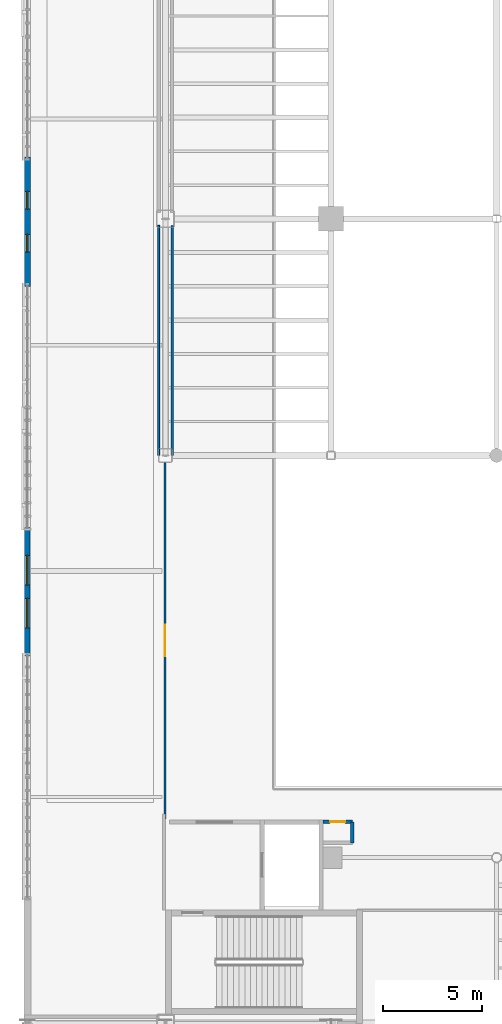
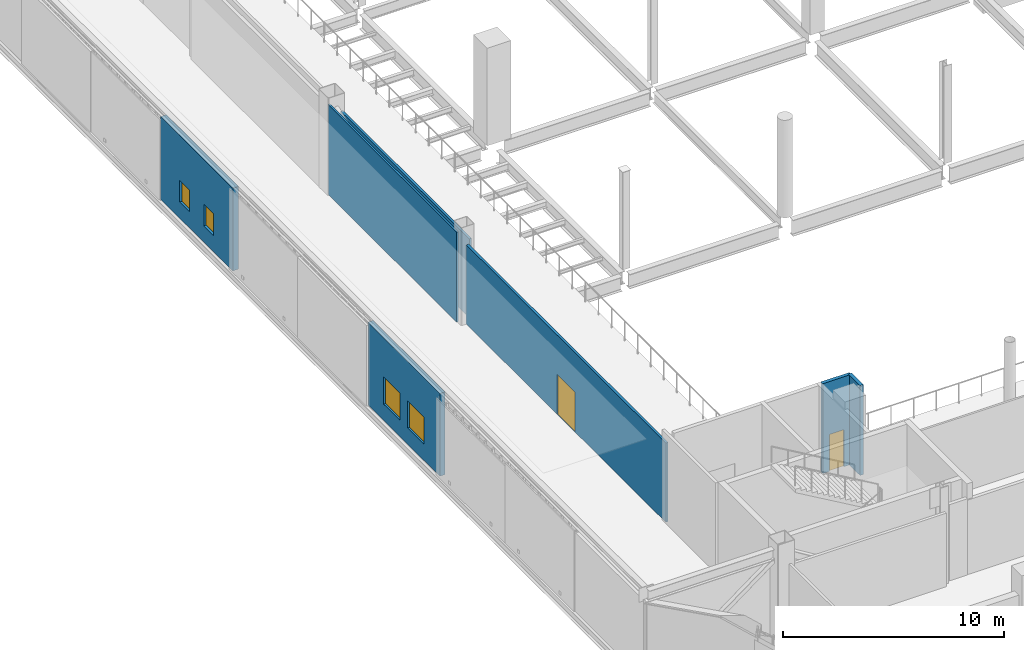
# One storey, part 105 of 127: 7 walls, 4 windows, 2 doors, 6 openings.
"""IFC4 building model written with IfcOpenShell, lengths in metres."""

from ifc_helpers import new_model, si_unit, direction, frame, frame_2d, origin, place, context, subcontext, project, spatial, rectangle, extrude, material, layer, layer_set, type_object, element, fill, save


model = new_model("IFC4")

# Units and contexts
model_context = context("Model", 3, precision=1e-05, world=origin(), true_north=direction((0.0, 1.0)))
body_context = subcontext(model_context, "Body", "Model", "MODEL_VIEW")
ifc_project = project(units=[si_unit("LENGTHUNIT", "METRE"), si_unit("AREAUNIT", "SQUARE_METRE"), si_unit("VOLUMEUNIT", "CUBIC_METRE"), si_unit("PLANEANGLEUNIT", "RADIAN"), si_unit("MASSUNIT", "GRAM", prefix="KILO")], contexts=[model_context])

# Site, building, storey
site_placement = place(None, origin())
site = spatial("IfcSite", under=ifc_project, at=site_placement, CompositionType="ELEMENT")
building_placement = place(site_placement, origin())
building = spatial("IfcBuilding", under=site, at=building_placement, Name="Larkvane Passage Sports Hall", CompositionType="ELEMENT")
storey_placement = place(building_placement, frame((0.0, 0.0, 5.39990234375)))
storey = spatial("IfcBuildingStorey", under=building, at=storey_placement, Name="L01", CompositionType="ELEMENT", Elevation=5.39990234375)

# Wall, openings, windows
ifc_material_1 = material(Name="Concrete C40/50", Category="concrete")
ifc_layer_1 = layer(ifc_material_1, 0.27490234375)
ifc_layer_set_1 = layer_set([ifc_layer_1], Name="Concrete C40/50")
wall_type_1 = type_object("IfcWallType", Name="WL-EXT-275", PredefinedType="SOLIDWALL", material=ifc_layer_set_1)
wall_1_placement = place(storey_placement, frame((27.800048828125, 41.431640625, 0.0), z_axis=(0.0, 0.0, 1.0), x_axis=(0.0, 1.0, 0.0)))
wall_1 = element("IfcWall", 1, at=wall_1_placement, inside=storey, type_object=wall_type_1, Name="Exterior wall WAL-EXT-L01-066", PredefinedType="SOLIDWALL", context=body_context, shape_type="SweptSolid", body=[
    extrude(rectangle(XDim=6.5185546875, YDim=0.27490234375, at=frame_2d((3.25927734375, 0.0))), origin(), (0.0, 0.0, 1.0), 4.578125),
])
opening_1_placement = place(wall_1_placement, frame((1.423095703125, 0.0, 0.89990234375)))
opening_1 = element("IfcOpeningElement", 2, at=opening_1_placement, cuts=wall_1, Name="Opening W-08", PredefinedType="OPENING", context=body_context, shape_type="SweptSolid", body=[
    extrude(rectangle(XDim=1.5, YDim=1.5, at=frame_2d((0.75, 0.75))), frame((0.0, 0.1474609375, 0.0), z_axis=(0.0, -1.0, 0.0), x_axis=(1.0, 0.0, 0.0)), (0.0, 0.0, 1.0), 0.294921875),
])
opening_2_placement = place(wall_1_placement, frame((3.595947265625, 0.0, 0.89990234375)))
opening_2 = element("IfcOpeningElement", 3, at=opening_2_placement, cuts=wall_1, Name="Opening W-08", PredefinedType="OPENING", context=body_context, shape_type="SweptSolid", body=[
    extrude(rectangle(XDim=1.5, YDim=1.5, at=frame_2d((0.75, 0.75))), frame((0.0, 0.1474609375, 0.0), z_axis=(0.0, -1.0, 0.0), x_axis=(1.0, 0.0, 0.0)), (0.0, 0.0, 1.0), 0.294921875),
])
ifc_material_2 = material(Name="Thermally broken aluminium and laminated low-E glass", Category="aluminium")
window_type_1 = type_object("IfcWindowType", Name="WN-CAS-1500x1500", PartitioningType="DOUBLE_PANEL_VERTICAL", PredefinedType="WINDOW", material=ifc_material_2)
window_1_placement = place(opening_1_placement, origin())
window_1 = element("IfcWindow", 4, at=window_1_placement, inside=storey, type_object=window_type_1, Name="Window L01-013", OverallHeight=1.5, OverallWidth=1.5, PartitioningType="DOUBLE_PANEL_VERTICAL", PredefinedType="WINDOW", context=body_context, shape_type="SweptSolid", body=[
    extrude(rectangle(XDim=1.5, YDim=1.5, at=frame_2d((0.75, 0.75))), frame((0.0, 0.030029296875, 0.0), z_axis=(0.0, -1.0, 0.0), x_axis=(1.0, 0.0, 0.0)), (0.0, 0.0, 1.0), 0.06005859375),
])
fill(opening_1, window_1)
window_2_placement = place(opening_2_placement, origin())
window_2 = element("IfcWindow", 5, at=window_2_placement, inside=storey, type_object=window_type_1, Name="Window L01-014", OverallHeight=1.5, OverallWidth=1.5, PartitioningType="DOUBLE_PANEL_VERTICAL", PredefinedType="WINDOW", context=body_context, shape_type="SweptSolid", body=[
    extrude(rectangle(XDim=1.5, YDim=1.5, at=frame_2d((0.75, 0.75))), frame((0.0, 0.030029296875, 0.0), z_axis=(0.0, -1.0, 0.0), x_axis=(1.0, 0.0, 0.0)), (0.0, 0.0, 1.0), 0.06005859375),
])
fill(opening_2, window_2)

ifc_material_3 = material(Name="Precast concrete C45/55", Category="concrete")
ifc_layer_2 = layer(ifc_material_3, 0.31005859375)
ifc_layer_set_2 = layer_set([ifc_layer_2], Name="Precast concrete C45/55")
wall_type_2 = type_object("IfcWallType", Name="WL-EXT-310", PredefinedType="SOLIDWALL", material=ifc_layer_set_2)
wall_2_placement = place(storey_placement, frame((27.800048828125, 60.178466796875, 0.0), z_axis=(0.0, 0.0, 1.0), x_axis=(0.0, 1.0, 0.0)))
wall_2 = element("IfcWall", 6, at=wall_2_placement, inside=storey, type_object=wall_type_2, Name="Exterior wall WAL-EXT-L01-067", PredefinedType="SOLIDWALL", context=body_context, shape_type="SweptSolid", body=[
    extrude(rectangle(XDim=6.55224609375, YDim=0.31005859375, at=frame_2d((3.276123046875, 0.0))), origin(), (0.0, 0.0, 1.0), 4.578125),
])
opening_3_placement = place(wall_2_placement, frame((1.73388671875, 0.0, 0.89990234375)))
opening_3 = element("IfcOpeningElement", 7, at=opening_3_placement, cuts=wall_2, Name="Opening W-09", PredefinedType="OPENING", context=body_context, shape_type="SweptSolid", body=[
    extrude(rectangle(XDim=0.89990234375, YDim=1.199951171875, at=frame_2d((0.449951171875, 0.60009765625))), frame((0.0, 0.1650390625, 0.0), z_axis=(0.0, -1.0, 0.0), x_axis=(1.0, 0.0, 0.0)), (0.0, 0.0, 1.0), 0.330078125),
])
opening_4_placement = place(wall_2_placement, frame((3.91796875, 0.0, 0.89990234375)))
opening_4 = element("IfcOpeningElement", 8, at=opening_4_placement, cuts=wall_2, Name="Opening W-09", PredefinedType="OPENING", context=body_context, shape_type="SweptSolid", body=[
    extrude(rectangle(XDim=0.89990234375, YDim=1.199951171875, at=frame_2d((0.449951171875, 0.60009765625))), frame((0.0, 0.1650390625, 0.0), z_axis=(0.0, -1.0, 0.0), x_axis=(1.0, 0.0, 0.0)), (0.0, 0.0, 1.0), 0.330078125),
])
window_type_2 = type_object("IfcWindowType", Name="WN-CAS-900x1200", PartitioningType="SINGLE_PANEL", PredefinedType="WINDOW", material=ifc_material_2)
window_3_placement = place(opening_3_placement, origin())
window_3 = element("IfcWindow", 9, at=window_3_placement, inside=storey, type_object=window_type_2, Name="Window L01-015", OverallHeight=1.199951171875, OverallWidth=0.89990234375, PartitioningType="SINGLE_PANEL", PredefinedType="WINDOW", context=body_context, shape_type="SweptSolid", body=[
    extrude(rectangle(XDim=0.89990234375, YDim=1.199951171875, at=frame_2d((0.449951171875, 0.60009765625))), frame((0.0, 0.030029296875, 0.0), z_axis=(0.0, -1.0, 0.0), x_axis=(1.0, 0.0, 0.0)), (0.0, 0.0, 1.0), 0.06005859375),
])
fill(opening_3, window_3)
window_4_placement = place(opening_4_placement, origin())
window_4 = element("IfcWindow", 10, at=window_4_placement, inside=storey, type_object=window_type_2, Name="Window L01-016", OverallHeight=1.199951171875, OverallWidth=0.89990234375, PartitioningType="SINGLE_PANEL", PredefinedType="WINDOW", context=body_context, shape_type="SweptSolid", body=[
    extrude(rectangle(XDim=0.89990234375, YDim=1.199951171875, at=frame_2d((0.449951171875, 0.60009765625))), frame((0.0, 0.030029296875, 0.0), z_axis=(0.0, -1.0, 0.0), x_axis=(1.0, 0.0, 0.0)), (0.0, 0.0, 1.0), 0.06005859375),
])
fill(opening_4, window_4)

# Wall
ifc_material_4 = material(Name="Gypsum twin-stud acoustic partition")
ifc_layer_3 = layer(ifc_material_4, 0.10009765625)
ifc_layer_set_3 = layer_set([ifc_layer_3], Name="Gypsum twin-stud acoustic partition")
wall_type_3 = type_object("IfcWallType", Name="WL-PART-100", PredefinedType="PARTITIONING", material=ifc_layer_set_3)
wall_3_placement = place(storey_placement, frame((34.4599609375, 63.27587890625, 0.0), z_axis=(0.0, 0.0, 1.0), x_axis=(0.0, -1.0, 0.0)))
element("IfcWall", 11, at=wall_3_placement, inside=storey, type_object=wall_type_3, Name="Interior partition WAL-PART-L01-0115", PredefinedType="PARTITIONING", context=body_context, shape_type="SweptSolid", body=[
    extrude(rectangle(XDim=11.67578125, YDim=0.10009765625, at=frame_2d((5.837890625, 0.0))), origin(), (0.0, 0.0, 1.0), 4.97998046875),
])

# Wall, opening, door
ifc_material_5 = material(Name="Gypsum twin-stud fire-rated partition")
ifc_layer_4 = layer(ifc_material_5, 0.125)
ifc_layer_set_4 = layer_set([ifc_layer_4], Name="Gypsum twin-stud fire-rated partition")
wall_type_4 = type_object("IfcWallType", Name="WL-PART-125", PredefinedType="PARTITIONING", material=ifc_layer_set_4)
wall_4_placement = place(storey_placement, frame((34.780029296875, 51.260009765625, 0.0), z_axis=(0.0, 0.0, 1.0), x_axis=(0.0, -1.0, 0.0)))
wall_4 = element("IfcWall", 12, at=wall_4_placement, inside=storey, type_object=wall_type_4, Name="Interior partition WAL-PART-L01-0116", PredefinedType="PARTITIONING", context=body_context, shape_type="SweptSolid", body=[
    extrude(rectangle(XDim=18.10009765625, YDim=0.125, at=frame_2d((9.050048828125, 0.0))), origin(), (0.0, 0.0, 1.0), 4.382080078125),
])
opening_5_placement = place(wall_4_placement, frame((8.25, 0.0, 0.0)))
opening_5 = element("IfcOpeningElement", 13, at=opening_5_placement, cuts=wall_4, Name="Opening DI-03", PredefinedType="OPENING", context=body_context, shape_type="SweptSolid", body=[
    extrude(rectangle(XDim=1.60009765625, YDim=2.199951171875, at=frame_2d((0.800048828125, 1.10009765625))), frame((0.0, 0.072509765625, 0.0), z_axis=(0.0, -1.0, 0.0), x_axis=(1.0, 0.0, 0.0)), (0.0, 0.0, 1.0), 0.14501953125),
])
ifc_material_6 = material(Name="Glazed aluminium studio double door", Category="aluminium")
door_type_1 = type_object("IfcDoorType", Name="DR-INT-1600", OperationType="DOUBLE_DOOR_SINGLE_SWING", PredefinedType="DOOR", material=ifc_material_6)
door_1_placement = place(opening_5_placement, origin())
door_1 = element("IfcDoor", 14, at=door_1_placement, inside=storey, type_object=door_type_1, Name="Interior door L01-0047", OperationType="DOUBLE_DOOR_SINGLE_SWING", OverallHeight=2.199951171875, OverallWidth=1.60009765625, PredefinedType="DOOR", context=body_context, shape_type="SweptSolid", body=[
    extrude(rectangle(XDim=1.60009765625, YDim=2.199951171875, at=frame_2d((0.800048828125, 1.10009765625))), frame((0.0, 0.02490234375, 0.0), z_axis=(0.0, -1.0, 0.0), x_axis=(1.0, 0.0, 0.0)), (0.0, 0.0, 1.0), 0.050048828125),
])
fill(opening_5, door_1)

# Wall
wall_5_placement = place(storey_placement, frame((35.139892578125, 51.60009765625, 0.0), z_axis=(0.0, 0.0, 1.0), x_axis=(0.0, 1.0, 0.0)))
element("IfcWall", 15, at=wall_5_placement, inside=storey, type_object=wall_type_4, Name="Interior partition WAL-PART-L01-0160", PredefinedType="PARTITIONING", context=body_context, shape_type="SweptSolid", body=[
    extrude(rectangle(XDim=11.67578125, YDim=0.125, at=frame_2d((5.837890625, 0.0))), origin(), (0.0, 0.0, 1.0), 4.3701171875),
])

# Wall, opening, door
ifc_material_7 = material(Name="Moisture-resistant shaftliner partition")
ifc_layer_5 = layer(ifc_material_7, 0.175048828125)
ifc_layer_set_5 = layer_set([ifc_layer_5], Name="Moisture-resistant shaftliner partition")
wall_type_5 = type_object("IfcWallType", Name="WL-PLUMB-175", PredefinedType="PLUMBINGWALL", material=ifc_layer_set_5)
wall_6_placement = place(storey_placement, frame((42.800048828125, 33.010009765625, 0.0), z_axis=(0.0, 0.0, 1.0), x_axis=(1.0, 0.0, 0.0)))
wall_6 = element("IfcWall", 16, at=wall_6_placement, inside=storey, type_object=wall_type_5, Name="Service riser chase front wall C1 L01", PredefinedType="PLUMBINGWALL", context=body_context, shape_type="SweptSolid", body=[
    extrude(rectangle(XDim=1.47998046875, YDim=0.175048828125, at=frame_2d((0.739990234375, 0.0))), origin(), (0.0, 0.0, 1.0), 4.97998046875),
])
opening_6_placement = place(wall_6_placement, frame((0.360107421875, 0.0, 0.0)))
opening_6 = element("IfcOpeningElement", 17, at=opening_6_placement, cuts=wall_6, Name="Opening DA-01", PredefinedType="OPENING", context=body_context, shape_type="SweptSolid", body=[
    extrude(rectangle(XDim=0.75, YDim=2.050048828125, at=frame_2d((0.375, 1.02490234375))), frame((0.0, 0.097412109375, 0.0), z_axis=(0.0, -1.0, 0.0), x_axis=(1.0, 0.0, 0.0)), (0.0, 0.0, 1.0), 0.195068359375),
])
ifc_material_8 = material(Name="Steel S355JR service riser access door", Category="steel")
door_type_2 = type_object("IfcDoorType", Name="DR-RISER-750", OperationType="NOTDEFINED", PredefinedType="DOOR", material=ifc_material_8)
door_2_placement = place(opening_6_placement, origin())
door_2 = element("IfcDoor", 18, at=door_2_placement, inside=storey, type_object=door_type_2, Name="Service riser access door C1 L01", OperationType="SINGLE_SWING_LEFT", OverallHeight=2.050048828125, OverallWidth=0.75, PredefinedType="DOOR", context=body_context, shape_type="SweptSolid", body=[
    extrude(rectangle(XDim=0.75, YDim=2.050048828125, at=frame_2d((0.375, 1.02490234375))), frame((0.0, 0.02490234375, 0.0), z_axis=(0.0, -1.0, 0.0), x_axis=(1.0, 0.0, 0.0)), (0.0, 0.0, 1.0), 0.050048828125),
])
fill(opening_6, door_2)

# Wall
wall_7_placement = place(storey_placement, frame((44.280029296875, 31.949951171875, 0.0), z_axis=(0.0, 0.0, 1.0), x_axis=(0.0, 1.0, 0.0)))
element("IfcWall", 19, at=wall_7_placement, inside=storey, type_object=wall_type_5, Name="Service riser chase side wall C1 L01", PredefinedType="PLUMBINGWALL", context=body_context, shape_type="SweptSolid", body=[
    extrude(rectangle(XDim=1.06005859375, YDim=0.175048828125, at=frame_2d((0.530029296875, 0.0))), origin(), (0.0, 0.0, 1.0), 4.97998046875),
])

save(model, "model.ifc")
